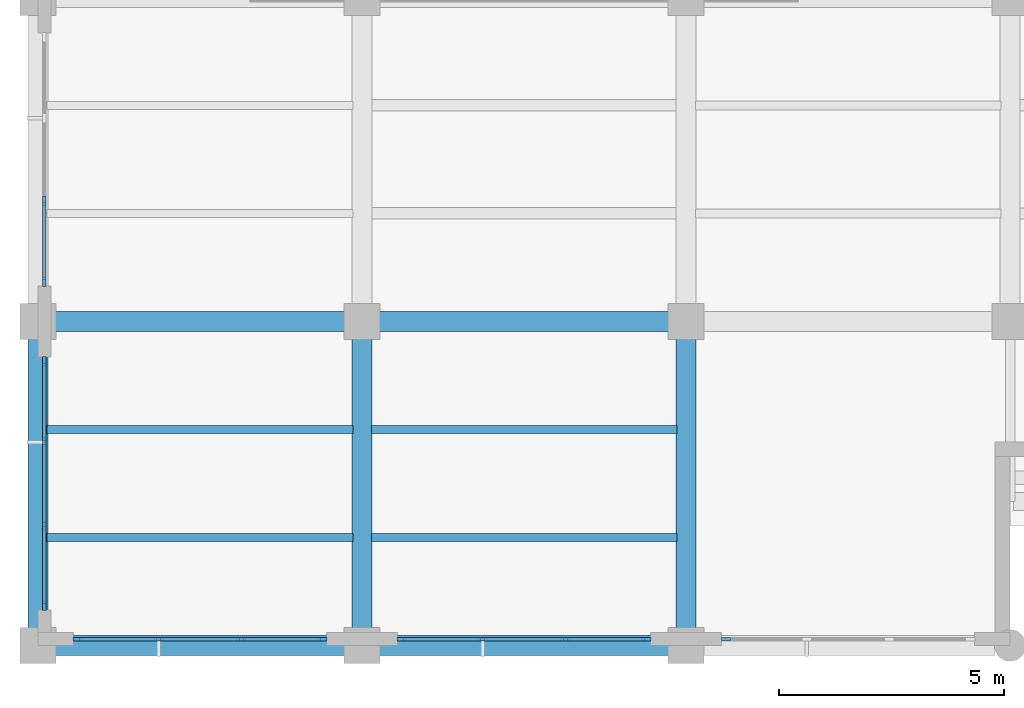
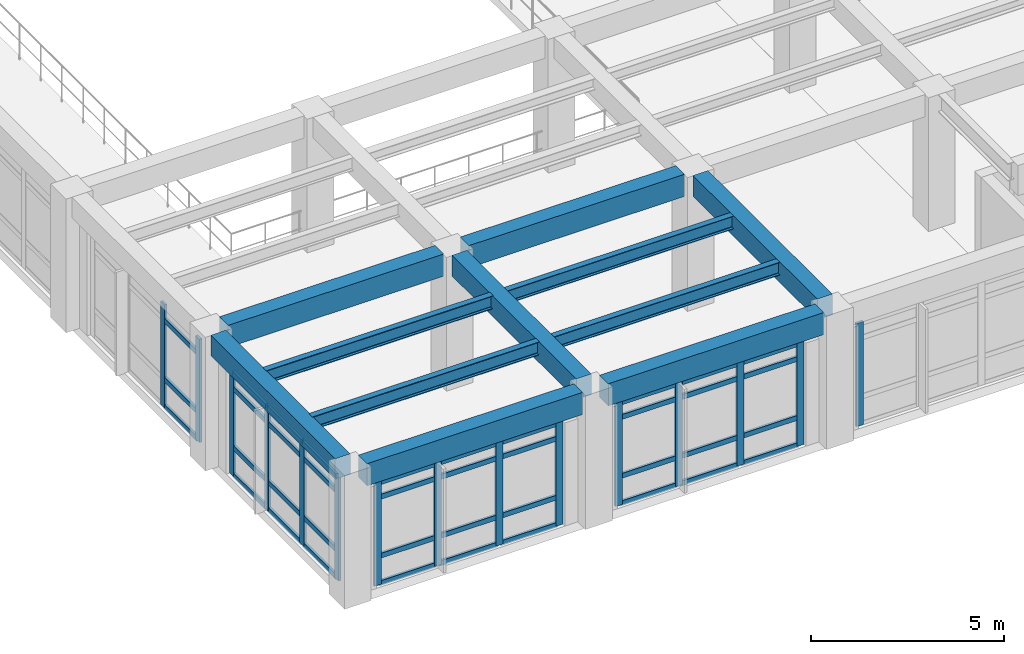
# One storey, part 2 of 67: 54 members, 11 beams, 5 elements without a shape of their own.
"""IFC4 building model written with IfcOpenShell, lengths in metres."""

import ifcopenshell
import ifcopenshell.guid

model = None  # the IFC model being written
_history = None  # IfcOwnerHistory: only IFC2X3 demands one
_inside = {}  # id of a spatial element -> (the spatial element, [elements in it])
_under = {}  # id of a project, library or spatial element -> (it, [spatial elements below it])
_declared = {}  # id of a project -> (the project, [libraries it declares])
_typed = {}  # id of a type object -> (the type object, [elements of that type])
_made_of = {}  # id of a material, layer set ... -> (it, [elements and type objects made of it])


def new_model(schema):
    """Start an empty IFC model of exactly this schema.

    Asked for "IFC4X3", IfcOpenShell would pick the latest addendum, in which some entities
    have other attributes; the version numbers below select the first issue.
    IFC2X3 requires an IfcOwnerHistory on every rooted entity: one is made here for all.
    """
    global model, _history
    if schema == "IFC4X3":
        model = ifcopenshell.file(schema_version=(4, 3, 0, 0))
    else:
        model = ifcopenshell.file(schema=schema)
    _inside.clear()
    _under.clear()
    _declared.clear()
    _typed.clear()
    _made_of.clear()
    _history = None
    if model.schema == "IFC2X3":
        org = make("IfcOrganization", Name="unknown")
        user = make(
            "IfcPersonAndOrganization",
            ThePerson=make("IfcPerson", FamilyName="unknown"),
            TheOrganization=org,
        )
        app = make(
            "IfcApplication",
            ApplicationDeveloper=org,
            Version="unknown",
            ApplicationFullName="unknown",
            ApplicationIdentifier="unknown",
        )
        _history = make(
            "IfcOwnerHistory",
            OwningUser=user,
            OwningApplication=app,
            ChangeAction="ADDED",
            CreationDate=0,
        )
    return model


def make(cls, **values):
    """One entity of the class cls with the attributes given. An attribute that is None is left unset."""
    return model.create_entity(
        cls, **{name: value for name, value in values.items() if value is not None}
    )


def rooted(cls, **values):
    """An entity with a GlobalId (a new one), such as an element, a storey or a relation."""
    return make(cls, GlobalId=ifcopenshell.guid.new(), OwnerHistory=_history, **values)


def si_unit(unit_type, name, prefix=None):
    """IfcSIUnit, for example si_unit("LENGTHUNIT", "METRE", prefix="MILLI")."""
    return make("IfcSIUnit", UnitType=unit_type, Prefix=prefix, Name=name)


def assignment(units):
    """IfcUnitAssignment: the units of a project."""
    return None if units is None else make("IfcUnitAssignment", Units=units)


def point(xyz):
    """IfcCartesianPoint."""
    return None if xyz is None else make("IfcCartesianPoint", Coordinates=xyz)


def direction(xyz):
    """IfcDirection."""
    return None if xyz is None else make("IfcDirection", DirectionRatios=xyz)


def frame(location, z_axis=None, x_axis=None):
    """IfcAxis2Placement3D, a coordinate frame: its origin and axes. An axis left out is left unset."""
    return make(
        "IfcAxis2Placement3D",
        Location=point(location),
        Axis=direction(z_axis),
        RefDirection=direction(x_axis),
    )


def frame_2d(location, x_axis=None):
    """IfcAxis2Placement2D, a coordinate frame in the plane: its origin and x axis."""
    return make(
        "IfcAxis2Placement2D", Location=point(location), RefDirection=direction(x_axis)
    )


def origin():
    """The frame at (0, 0, 0) with its axes left unset."""
    return frame((0.0, 0.0, 0.0))


def origin_2d():
    """The frame at (0, 0) in the plane with its x axis left unset."""
    return frame_2d((0.0, 0.0))


def place(relative_to, where):
    """IfcLocalPlacement: puts the frame where relative to a parent placement (None: the world)."""
    return make(
        "IfcLocalPlacement", PlacementRelTo=relative_to, RelativePlacement=where
    )


def context(
    kind, dimensions, precision=None, world=None, true_north=None, identifier=None
):
    """IfcGeometricRepresentationContext, for example the 3D "Model" context."""
    return make(
        "IfcGeometricRepresentationContext",
        ContextIdentifier=identifier,
        ContextType=kind,
        CoordinateSpaceDimension=dimensions,
        Precision=precision,
        WorldCoordinateSystem=world,
        TrueNorth=true_north,
    )


def subcontext(parent, identifier, kind, view, scale=None):
    """IfcGeometricRepresentationSubContext, for example "Body" below "Model"."""
    return make(
        "IfcGeometricRepresentationSubContext",
        ContextIdentifier=identifier,
        ContextType=kind,
        ParentContext=parent,
        TargetScale=scale,
        TargetView=view,
    )


def project(units=None, contexts=None):
    """IfcProject with its units and contexts."""
    return rooted(
        "IfcProject",
        Name="project",
        RepresentationContexts=contexts,
        UnitsInContext=assignment(units),
    )


def spatial(cls, under=None, at=None, **own):
    """A site, building, storey or space (cls), placed at a placement, below another one or the project."""
    s = rooted(cls, ObjectPlacement=at, **own)
    if under is not None:
        _under.setdefault(under.id(), (under, []))[1].append(s)
    return s


def profile(cls, at=None, kind="AREA", **sizes):
    """A parametric profile (cls). Its sizes go by their IFC names, for example OverallWidth=200.0."""
    return make(cls, ProfileType=kind, Position=at, **sizes)


def rectangle(**sizes):
    """IfcRectangleProfileDef."""
    return profile("IfcRectangleProfileDef", **sizes)


def i_section(**sizes):
    """IfcIShapeProfileDef."""
    return profile("IfcIShapeProfileDef", **sizes)


def extrude(swept, where, along, depth):
    """IfcExtrudedAreaSolid: the profile swept, set in the frame where, extruded along a direction by depth."""
    return make(
        "IfcExtrudedAreaSolid",
        SweptArea=swept,
        Position=where,
        ExtrudedDirection=direction(along),
        Depth=depth,
    )


def shape(context_of_items, identifier, shape_type, items):
    """IfcShapeRepresentation: the items that make up one representation, for example the "Body"."""
    return make(
        "IfcShapeRepresentation",
        ContextOfItems=context_of_items,
        RepresentationIdentifier=identifier,
        RepresentationType=shape_type,
        Items=items,
    )


def material(Name=None, Category=None):
    """IfcMaterial."""
    return make("IfcMaterial", Name=Name, Category=Category)


def layer(
    of_material, thickness, ventilated=None, Name=None, Category=None, Priority=None
):
    """IfcMaterialLayer: one layer of a wall or slab, of a material (None: an air gap)."""
    return make(
        "IfcMaterialLayer",
        Material=of_material,
        LayerThickness=thickness,
        IsVentilated=ventilated,
        Name=Name,
        Category=Category,
        Priority=Priority,
    )


def layer_set(layers, Name=None):
    """IfcMaterialLayerSet."""
    return make("IfcMaterialLayerSet", MaterialLayers=layers, LayerSetName=Name)


def material_profile(
    of_material, cross_section, Name=None, Category=None, Priority=None
):
    """IfcMaterialProfile: a cross section and its material."""
    return make(
        "IfcMaterialProfile",
        Name=Name,
        Material=of_material,
        Profile=cross_section,
        Priority=Priority,
        Category=Category,
    )


def profile_set(profiles, Name=None, composite=None):
    """IfcMaterialProfileSet."""
    return make(
        "IfcMaterialProfileSet",
        Name=Name,
        MaterialProfiles=profiles,
        CompositeProfile=composite,
    )


def made_of(thing, what):
    """Note that an element or type object is made of a material, layer set ...; save() writes the relation."""
    if what is not None:
        _made_of.setdefault(what.id(), (what, []))[1].append(thing)
    return thing


def type_object(cls, material=None, **own):
    """A type object (cls), such as IfcWallType, which elements share."""
    return made_of(rooted(cls, **own), material)


def element(
    cls,
    number,
    at=None,
    inside=None,
    cuts=None,
    type_object=None,
    material=None,
    context=None,
    identifier="Body",
    shape_type=None,
    held_by="IfcProductDefinitionShape",
    body=None,
    shapes=None,
    **own,
):
    """One element of the class cls, such as IfcWall. Its Tag is "e" and its number.

    at: its placement. inside: the storey or other place that contains it. cuts: it is an
    opening in that element (IfcRelVoidsElement). A single representation is given by context,
    identifier, shape_type and body (its items); several are given by shapes. held_by: the class
    of the entity that holds the representations. save() writes the other relations.
    """
    e = rooted(cls, Tag="e%d" % number, ObjectPlacement=at, **own)
    if body is not None:
        shapes = [shape(context, identifier, shape_type, body)]
    if shapes is not None:
        e.Representation = make(held_by, Representations=shapes)
    if inside is not None:
        _inside.setdefault(inside.id(), (inside, []))[1].append(e)
    if cuts is not None:
        rooted(
            "IfcRelVoidsElement", RelatingBuildingElement=cuts, RelatedOpeningElement=e
        )
    if type_object is not None:
        _typed.setdefault(type_object.id(), (type_object, []))[1].append(e)
    return made_of(e, material)


def aggregate(whole, parts):
    """IfcRelAggregates: a whole, such as a stair, and the parts it consists of."""
    return rooted("IfcRelAggregates", RelatingObject=whole, RelatedObjects=parts)


def save(model, path):
    """Write the relations noted so far, then the file.

    IfcRelAggregates (storeys below a building ...), IfcRelContainedInSpatialStructure (elements
    in a storey), IfcRelDefinesByType, IfcRelAssociatesMaterial and IfcRelDeclares: one each for
    every whole, place, type object, material and project.
    """
    for whole, parts in _under.values():
        aggregate(whole, parts)
    for where, things in _inside.values():
        rooted(
            "IfcRelContainedInSpatialStructure",
            RelatedElements=things,
            RelatingStructure=where,
        )
    for kind, things in _typed.values():
        rooted("IfcRelDefinesByType", RelatedObjects=things, RelatingType=kind)
    for what, things in _made_of.values():
        rooted("IfcRelAssociatesMaterial", RelatedObjects=things, RelatingMaterial=what)
    for by, libraries in _declared.values():
        rooted("IfcRelDeclares", RelatingContext=by, RelatedDefinitions=libraries)
    model.write(path)


model = new_model("IFC4")

# Units and contexts
model_context = context("Model", 3, precision=1e-05, world=origin(), true_north=direction((0.0, 1.0)))
body_context = subcontext(model_context, "Body", "Model", "MODEL_VIEW")
ifc_project = project(units=[si_unit("LENGTHUNIT", "METRE"), si_unit("AREAUNIT", "SQUARE_METRE"), si_unit("VOLUMEUNIT", "CUBIC_METRE"), si_unit("PLANEANGLEUNIT", "RADIAN"), si_unit("MASSUNIT", "GRAM", prefix="KILO")], contexts=[model_context])

# Site, building, storey
site_placement = place(None, origin())
site = spatial("IfcSite", under=ifc_project, at=site_placement, CompositionType="ELEMENT")
building_placement = place(site_placement, origin())
building = spatial("IfcBuilding", under=site, at=building_placement, Name="Solenvale Faculty of Natural Sciences", CompositionType="ELEMENT")
storey_placement = place(building_placement, frame((0.0, 0.0, 13.5)))
storey = spatial("IfcBuildingStorey", under=building, at=storey_placement, Name="L03", CompositionType="ELEMENT", Elevation=13.5)

# Beams
ifc_material_1 = material(Name="Concrete 40 MPa", Category="concrete")
ifc_material_profile_1 = material_profile(ifc_material_1, rectangle(XDim=0.449951171875, YDim=0.64990234375, at=origin_2d()), Name="RC-BM-450x650")
ifc_profile_set_1 = profile_set([ifc_material_profile_1], Name="Concrete 40 MPa")
beam_type_1 = type_object("IfcBeamType", Name="BM-RC-450x650", PredefinedType="BEAM", material=ifc_profile_set_1)
for number, where, z_axis, x_axis, name in (
    (1, (36.0, 14.780029296875, 3.89501953125), (0.0, 1.0, 0.0), (-1.0, 0.0, 0.0), "L03 Y-Girder X36.0 (14.4..21.6)"),
    (2, (43.199951171875, 14.780029296875, 3.89501953125), (0.0, 1.0, 0.0), (-1.0, 0.0, 0.0), "L03 Y-Girder X43.2 (14.4..21.6)"),
    (3, (50.39990234375, 14.780029296875, 3.89501953125), (0.0, 1.0, 0.0), (-1.0, 0.0, 0.0), "L03 Y-Girder X50.4 (14.4..21.6)"),
):
    element("IfcBeam", number, at=place(storey_placement, frame(where, z_axis=z_axis, x_axis=x_axis)), inside=storey, type_object=beam_type_1, Name=name, PredefinedType="BEAM", context=body_context, shape_type="SweptSolid", body=[
        extrude(rectangle(XDim=0.449951171875, YDim=0.64990234375, at=origin_2d()), origin(), (0.0, 0.0, 1.0), 6.43994140625),
    ])
ifc_material_profile_2 = material_profile(ifc_material_1, rectangle(XDim=0.449951171875, YDim=0.699951171875, at=origin_2d()), Name="RC-BM-450x700")
ifc_profile_set_2 = profile_set([ifc_material_profile_2], Name="Concrete 40 MPa")
beam_type_2 = type_object("IfcBeamType", Name="BM-RC-450x700", PredefinedType="BEAM", material=ifc_profile_set_2)
beam_1_placement = place(storey_placement, frame((36.3798828125, 14.39990234375, 3.8701171875), z_axis=(1.0, 0.0, 0.0), x_axis=(0.0, 1.0, 0.0)))
element("IfcBeam", 4, at=beam_1_placement, inside=storey, type_object=beam_type_2, Name="L03 X-Girder Y14.4 (36.0..43.2)", PredefinedType="BEAM", context=body_context, shape_type="SweptSolid", body=[
    extrude(rectangle(XDim=0.449951171875, YDim=0.699951171875, at=origin_2d()), origin(), (0.0, 0.0, 1.0), 6.440185546875),
])
beam_2_placement = place(storey_placement, frame((43.580078125, 14.39990234375, 3.8701171875), z_axis=(1.0, 0.0, 0.0), x_axis=(0.0, 1.0, 0.0)))
element("IfcBeam", 5, at=beam_2_placement, inside=storey, type_object=beam_type_2, Name="L03 X-Girder Y14.4 (43.2..50.4)", PredefinedType="BEAM", context=body_context, shape_type="SweptSolid", body=[
    extrude(rectangle(XDim=0.449951171875, YDim=0.699951171875, at=origin_2d()), origin(), (0.0, 0.0, 1.0), 6.43994140625),
])
beam_3_placement = place(storey_placement, frame((36.3798828125, 21.60009765625, 3.8701171875), z_axis=(1.0, 0.0, 0.0), x_axis=(0.0, 1.0, 0.0)))
element("IfcBeam", 6, at=beam_3_placement, inside=storey, type_object=beam_type_2, Name="L03 X-Girder Y21.6 (36.0..43.2)", PredefinedType="BEAM", context=body_context, shape_type="SweptSolid", body=[
    extrude(rectangle(XDim=0.449951171875, YDim=0.699951171875, at=origin_2d()), origin(), (0.0, 0.0, 1.0), 6.440185546875),
])
beam_4_placement = place(storey_placement, frame((43.580078125, 21.60009765625, 3.8701171875), z_axis=(1.0, 0.0, 0.0), x_axis=(0.0, 1.0, 0.0)))
element("IfcBeam", 7, at=beam_4_placement, inside=storey, type_object=beam_type_2, Name="L03 X-Girder Y21.6 (43.2..50.4)", PredefinedType="BEAM", context=body_context, shape_type="SweptSolid", body=[
    extrude(rectangle(XDim=0.449951171875, YDim=0.699951171875, at=origin_2d()), origin(), (0.0, 0.0, 1.0), 6.43994140625),
])
ifc_material_2 = material(Name="Steel S355", Category="steel")
ifc_material_profile_3 = material_profile(ifc_material_2, i_section(OverallWidth=0.178955078125, OverallDepth=0.409912109375, WebThickness=0.0087890625, FlangeThickness=0.014404296875, FilletRadius=0.01611328125, at=origin_2d()), Name="W410x67")
ifc_profile_set_3 = profile_set([ifc_material_profile_3], Name="Steel S355")
beam_type_3 = type_object("IfcBeamType", Name="BM-STL-W410x67", PredefinedType="JOIST", material=ifc_profile_set_3)
for number, where, z_axis, x_axis, name in (
    (8, (43.405029296875, 16.800048828125, 4.014892578125), (1.0, 0.0, 0.0), (0.0, 1.0, 0.0), "L03 Composite Floor Joist (7,3).1"),
    (9, (43.405029296875, 19.199951171875, 4.014892578125), (1.0, 0.0, 0.0), (0.0, 1.0, 0.0), "L03 Composite Floor Joist (7,3).2"),
):
    element("IfcBeam", number, at=place(storey_placement, frame(where, z_axis=z_axis, x_axis=x_axis)), inside=storey, type_object=beam_type_3, Name=name, PredefinedType="JOIST", context=body_context, shape_type="SweptSolid", body=[
        extrude(i_section(OverallWidth=0.178955078125, OverallDepth=0.409912109375, WebThickness=0.0087890625, FlangeThickness=0.014404296875, FilletRadius=0.01611328125, at=origin_2d()), origin(), (0.0, 0.0, 1.0), 6.7900390625),
    ])
ifc_material_profile_4 = material_profile(ifc_material_2, i_section(OverallWidth=0.180908203125, OverallDepth=0.4169921875, WebThickness=0.010986328125, FlangeThickness=0.018310546875, FilletRadius=0.01611328125, at=origin_2d()), Name="W410x85")
ifc_profile_set_4 = profile_set([ifc_material_profile_4], Name="Steel S355")
beam_type_4 = type_object("IfcBeamType", Name="BM-STL-W410x85", PredefinedType="JOIST", material=ifc_profile_set_4)
for number, where, z_axis, x_axis, name in (
    (10, (36.205078125, 16.800048828125, 4.011474609375), (1.0, 0.0, 0.0), (0.0, 1.0, 0.0), "L03 Composite Floor Joist (6,3).1"),
    (11, (36.205078125, 19.199951171875, 4.011474609375), (1.0, 0.0, 0.0), (0.0, 1.0, 0.0), "L03 Composite Floor Joist (6,3).2"),
):
    element("IfcBeam", number, at=place(storey_placement, frame(where, z_axis=z_axis, x_axis=x_axis)), inside=storey, type_object=beam_type_4, Name=name, PredefinedType="JOIST", context=body_context, shape_type="SweptSolid", body=[
        extrude(i_section(OverallWidth=0.180908203125, OverallDepth=0.4169921875, WebThickness=0.010986328125, FlangeThickness=0.018310546875, FilletRadius=0.01611328125, at=origin_2d()), origin(), (0.0, 0.0, 1.0), 6.7900390625),
    ])

# Curtain wall, members
ifc_material_3 = material(Name="Anodised bronze aluminium", Category="aluminium")
ifc_layer = layer(ifc_material_3, 0.215087890625)
ifc_layer_set = layer_set([ifc_layer], Name="Anodised bronze aluminium")
curtain_wall_type = type_object("IfcCurtainWallType", Name="CW-ATR-UNIT", PredefinedType="USERDEFINED", material=ifc_layer_set)
curtain_wall_1_placement = place(storey_placement, origin())
curtain_wall_1 = element("IfcCurtainWall", 12, at=curtain_wall_1_placement, inside=storey, type_object=curtain_wall_type, Name="L03 Curtain Wall CW-L03-P1-E3-B10", ObjectType="UNITISED CURTAIN WALL", PredefinedType="USERDEFINED")
ifc_material_profile_5 = material_profile(ifc_material_3, rectangle(XDim=0.074951171875, YDim=0.2099609375, at=origin_2d()), Name="ALU-MUL-75x210")
ifc_profile_set_5 = profile_set([ifc_material_profile_5], Name="Anodised bronze aluminium")
member_type_1 = type_object("IfcMemberType", Name="CWM-ALU-75x210", PredefinedType="MULLION", material=ifc_profile_set_5)
member_1_placement = place(storey_placement, frame((36.142578125, 24.283447265625, 0.0), z_axis=(0.0, 0.0, 1.0), x_axis=(1.0, 0.0, 0.0)))
member_1 = element("IfcMember", 13, at=member_1_placement, type_object=member_type_1, Name="CW-01 mullion 3", PredefinedType="MULLION", context=body_context, shape_type="SweptSolid", body=[
    extrude(rectangle(XDim=0.074951171875, YDim=0.2099609375, at=origin_2d()), origin(), (0.0, 0.0, 1.0), 3.260009765625),
])
member_2_placement = place(storey_placement, frame((36.142578125, 22.487548828125, 0.0), z_axis=(0.0, 0.0, 1.0), x_axis=(1.0, 0.0, 0.0)))
member_2 = element("IfcMember", 14, at=member_2_placement, type_object=member_type_1, Name="CW-01 mullion 4", PredefinedType="MULLION", context=body_context, shape_type="SweptSolid", body=[
    extrude(rectangle(XDim=0.074951171875, YDim=0.2099609375, at=origin_2d()), origin(), (0.0, 0.0, 1.0), 3.260009765625),
])

curtain_wall_2_placement = place(storey_placement, origin())
curtain_wall_2 = element("IfcCurtainWall", 15, at=curtain_wall_2_placement, inside=storey, type_object=curtain_wall_type, Name="L03 Curtain Wall CW-L03-P1-E3-B11", ObjectType="UNITISED CURTAIN WALL", PredefinedType="USERDEFINED")
member_3_placement = place(storey_placement, frame((36.142578125, 20.71240234375, 0.0), z_axis=(0.0, 0.0, 1.0), x_axis=(1.0, 0.0, 0.0)))
member_3 = element("IfcMember", 16, at=member_3_placement, type_object=member_type_1, Name="CW-01 mullion 1", PredefinedType="MULLION", context=body_context, shape_type="SweptSolid", body=[
    extrude(rectangle(XDim=0.074951171875, YDim=0.2099609375, at=origin_2d()), origin(), (0.0, 0.0, 1.0), 3.260009765625),
])
member_4_placement = place(storey_placement, frame((36.142578125, 18.916748046875, 0.0), z_axis=(0.0, 0.0, 1.0), x_axis=(1.0, 0.0, 0.0)))
member_4 = element("IfcMember", 17, at=member_4_placement, type_object=member_type_1, Name="CW-01 mullion 2", PredefinedType="MULLION", context=body_context, shape_type="SweptSolid", body=[
    extrude(rectangle(XDim=0.074951171875, YDim=0.2099609375, at=origin_2d()), origin(), (0.0, 0.0, 1.0), 3.260009765625),
])
member_5_placement = place(storey_placement, frame((36.142578125, 17.083251953125, 0.0), z_axis=(0.0, 0.0, 1.0), x_axis=(1.0, 0.0, 0.0)))
member_5 = element("IfcMember", 18, at=member_5_placement, type_object=member_type_1, Name="CW-01 mullion 3", PredefinedType="MULLION", context=body_context, shape_type="SweptSolid", body=[
    extrude(rectangle(XDim=0.074951171875, YDim=0.2099609375, at=origin_2d()), origin(), (0.0, 0.0, 1.0), 3.260009765625),
])
member_6_placement = place(storey_placement, frame((36.142578125, 15.28759765625, 0.0), z_axis=(0.0, 0.0, 1.0), x_axis=(1.0, 0.0, 0.0)))
member_6 = element("IfcMember", 19, at=member_6_placement, type_object=member_type_1, Name="CW-01 mullion 4", PredefinedType="MULLION", context=body_context, shape_type="SweptSolid", body=[
    extrude(rectangle(XDim=0.074951171875, YDim=0.2099609375, at=origin_2d()), origin(), (0.0, 0.0, 1.0), 3.260009765625),
])

curtain_wall_3_placement = place(storey_placement, origin())
curtain_wall_3 = element("IfcCurtainWall", 20, at=curtain_wall_3_placement, inside=storey, type_object=curtain_wall_type, Name="L03 Curtain Wall CW-L03-P1-E4-B1", ObjectType="UNITISED CURTAIN WALL", PredefinedType="USERDEFINED")
member_7_placement = place(storey_placement, frame((36.887451171875, 14.54248046875, 0.0), z_axis=(0.0, 0.0, 1.0), x_axis=(0.0, 1.0, 0.0)))
member_7 = element("IfcMember", 21, at=member_7_placement, type_object=member_type_1, Name="CW-01 mullion 1", PredefinedType="MULLION", context=body_context, shape_type="SweptSolid", body=[
    extrude(rectangle(XDim=0.074951171875, YDim=0.2099609375, at=origin_2d()), origin(), (0.0, 0.0, 1.0), 3.260009765625),
])
member_8_placement = place(storey_placement, frame((38.683349609375, 14.54248046875, 0.0), z_axis=(0.0, 0.0, 1.0), x_axis=(0.0, 1.0, 0.0)))
member_8 = element("IfcMember", 22, at=member_8_placement, type_object=member_type_1, Name="CW-01 mullion 2", PredefinedType="MULLION", context=body_context, shape_type="SweptSolid", body=[
    extrude(rectangle(XDim=0.074951171875, YDim=0.2099609375, at=origin_2d()), origin(), (0.0, 0.0, 1.0), 3.260009765625),
])
member_9_placement = place(storey_placement, frame((40.5166015625, 14.54248046875, 0.0), z_axis=(0.0, 0.0, 1.0), x_axis=(0.0, 1.0, 0.0)))
member_9 = element("IfcMember", 23, at=member_9_placement, type_object=member_type_1, Name="CW-01 mullion 3", PredefinedType="MULLION", context=body_context, shape_type="SweptSolid", body=[
    extrude(rectangle(XDim=0.074951171875, YDim=0.2099609375, at=origin_2d()), origin(), (0.0, 0.0, 1.0), 3.260009765625),
])
member_10_placement = place(storey_placement, frame((42.3125, 14.54248046875, 0.0), z_axis=(0.0, 0.0, 1.0), x_axis=(0.0, 1.0, 0.0)))
member_10 = element("IfcMember", 24, at=member_10_placement, type_object=member_type_1, Name="CW-01 mullion 4", PredefinedType="MULLION", context=body_context, shape_type="SweptSolid", body=[
    extrude(rectangle(XDim=0.074951171875, YDim=0.2099609375, at=origin_2d()), origin(), (0.0, 0.0, 1.0), 3.260009765625),
])

curtain_wall_4_placement = place(storey_placement, origin())
curtain_wall_4 = element("IfcCurtainWall", 25, at=curtain_wall_4_placement, inside=storey, type_object=curtain_wall_type, Name="L03 Curtain Wall CW-L03-P1-E4-B2", ObjectType="UNITISED CURTAIN WALL", PredefinedType="USERDEFINED")
member_11_placement = place(storey_placement, frame((44.08740234375, 14.54248046875, 0.0), z_axis=(0.0, 0.0, 1.0), x_axis=(0.0, 1.0, 0.0)))
member_11 = element("IfcMember", 26, at=member_11_placement, type_object=member_type_1, Name="CW-01 mullion 1", PredefinedType="MULLION", context=body_context, shape_type="SweptSolid", body=[
    extrude(rectangle(XDim=0.074951171875, YDim=0.2099609375, at=origin_2d()), origin(), (0.0, 0.0, 1.0), 3.260009765625),
])
member_12_placement = place(storey_placement, frame((45.88330078125, 14.54248046875, 0.0), z_axis=(0.0, 0.0, 1.0), x_axis=(0.0, 1.0, 0.0)))
member_12 = element("IfcMember", 27, at=member_12_placement, type_object=member_type_1, Name="CW-01 mullion 2", PredefinedType="MULLION", context=body_context, shape_type="SweptSolid", body=[
    extrude(rectangle(XDim=0.074951171875, YDim=0.2099609375, at=origin_2d()), origin(), (0.0, 0.0, 1.0), 3.260009765625),
])
member_13_placement = place(storey_placement, frame((47.716552734375, 14.54248046875, 0.0), z_axis=(0.0, 0.0, 1.0), x_axis=(0.0, 1.0, 0.0)))
member_13 = element("IfcMember", 28, at=member_13_placement, type_object=member_type_1, Name="CW-01 mullion 3", PredefinedType="MULLION", context=body_context, shape_type="SweptSolid", body=[
    extrude(rectangle(XDim=0.074951171875, YDim=0.2099609375, at=origin_2d()), origin(), (0.0, 0.0, 1.0), 3.260009765625),
])
member_14_placement = place(storey_placement, frame((49.512451171875, 14.54248046875, 0.0), z_axis=(0.0, 0.0, 1.0), x_axis=(0.0, 1.0, 0.0)))
member_14 = element("IfcMember", 29, at=member_14_placement, type_object=member_type_1, Name="CW-01 mullion 4", PredefinedType="MULLION", context=body_context, shape_type="SweptSolid", body=[
    extrude(rectangle(XDim=0.074951171875, YDim=0.2099609375, at=origin_2d()), origin(), (0.0, 0.0, 1.0), 3.260009765625),
])

# Curtain wall, member
curtain_wall_5_placement = place(storey_placement, origin())
curtain_wall_5 = element("IfcCurtainWall", 30, at=curtain_wall_5_placement, inside=storey, type_object=curtain_wall_type, Name="L03 Curtain Wall CW-L03-P1-E4-B3", ObjectType="UNITISED CURTAIN WALL", PredefinedType="USERDEFINED")
member_15_placement = place(storey_placement, frame((51.28759765625, 14.54248046875, 0.0), z_axis=(0.0, 0.0, 1.0), x_axis=(0.0, 1.0, 0.0)))
member_15 = element("IfcMember", 31, at=member_15_placement, type_object=member_type_1, Name="CW-01 mullion 1", PredefinedType="MULLION", context=body_context, shape_type="SweptSolid", body=[
    extrude(rectangle(XDim=0.074951171875, YDim=0.2099609375, at=origin_2d()), origin(), (0.0, 0.0, 1.0), 3.260009765625),
])
aggregate(curtain_wall_5, [member_15])

# Member
ifc_material_profile_6 = material_profile(ifc_material_3, rectangle(XDim=0.074951171875, YDim=0.155029296875, at=origin_2d()), Name="ALU-TRN-75x155")
ifc_profile_set_6 = profile_set([ifc_material_profile_6], Name="Anodised bronze aluminium")
member_type_2 = type_object("IfcMemberType", Name="CWT-ALU-75x155", PredefinedType="USERDEFINED", material=ifc_profile_set_6)
member_16_placement = place(storey_placement, frame((36.142578125, 24.245849609375, 0.03759765625), z_axis=(0.0, -1.0, 0.0), x_axis=(1.0, 0.0, 0.0)))
member_16 = element("IfcMember", 32, at=member_16_placement, type_object=member_type_2, Name="CW-01 transom 3.1", ObjectType="TRANSOM", PredefinedType="USERDEFINED", context=body_context, shape_type="SweptSolid", body=[
    extrude(rectangle(XDim=0.074951171875, YDim=0.155029296875, at=origin_2d()), origin(), (0.0, 0.0, 1.0), 1.720947265625),
])

member_17_placement = place(storey_placement, frame((36.142578125, 24.245849609375, 0.89990234375), z_axis=(0.0, -1.0, 0.0), x_axis=(1.0, 0.0, 0.0)))
member_17 = element("IfcMember", 33, at=member_17_placement, type_object=member_type_2, Name="CW-01 transom 3.2", ObjectType="TRANSOM", PredefinedType="USERDEFINED", context=body_context, shape_type="SweptSolid", body=[
    extrude(rectangle(XDim=0.074951171875, YDim=0.155029296875, at=origin_2d()), origin(), (0.0, 0.0, 1.0), 1.720947265625),
])

member_18_placement = place(storey_placement, frame((36.142578125, 24.245849609375, 2.760009765625), z_axis=(0.0, -1.0, 0.0), x_axis=(1.0, 0.0, 0.0)))
member_18 = element("IfcMember", 34, at=member_18_placement, type_object=member_type_2, Name="CW-01 transom 3.3", ObjectType="TRANSOM", PredefinedType="USERDEFINED", context=body_context, shape_type="SweptSolid", body=[
    extrude(rectangle(XDim=0.074951171875, YDim=0.155029296875, at=origin_2d()), origin(), (0.0, 0.0, 1.0), 1.720947265625),
])

aggregate(curtain_wall_1, [member_1, member_2, member_16, member_17, member_18])

member_19_placement = place(storey_placement, frame((36.142578125, 20.675048828125, 0.03759765625), z_axis=(0.0, -1.0, 0.0), x_axis=(1.0, 0.0, 0.0)))
member_19 = element("IfcMember", 35, at=member_19_placement, type_object=member_type_2, Name="CW-01 transom 1.1", ObjectType="TRANSOM", PredefinedType="USERDEFINED", context=body_context, shape_type="SweptSolid", body=[
    extrude(rectangle(XDim=0.074951171875, YDim=0.155029296875, at=origin_2d()), origin(), (0.0, 0.0, 1.0), 1.720947265625),
])

member_20_placement = place(storey_placement, frame((36.142578125, 20.675048828125, 0.89990234375), z_axis=(0.0, -1.0, 0.0), x_axis=(1.0, 0.0, 0.0)))
member_20 = element("IfcMember", 36, at=member_20_placement, type_object=member_type_2, Name="CW-01 transom 1.2", ObjectType="TRANSOM", PredefinedType="USERDEFINED", context=body_context, shape_type="SweptSolid", body=[
    extrude(rectangle(XDim=0.074951171875, YDim=0.155029296875, at=origin_2d()), origin(), (0.0, 0.0, 1.0), 1.720947265625),
])

member_21_placement = place(storey_placement, frame((36.142578125, 20.675048828125, 2.760009765625), z_axis=(0.0, -1.0, 0.0), x_axis=(1.0, 0.0, 0.0)))
member_21 = element("IfcMember", 37, at=member_21_placement, type_object=member_type_2, Name="CW-01 transom 1.3", ObjectType="TRANSOM", PredefinedType="USERDEFINED", context=body_context, shape_type="SweptSolid", body=[
    extrude(rectangle(XDim=0.074951171875, YDim=0.155029296875, at=origin_2d()), origin(), (0.0, 0.0, 1.0), 1.720947265625),
])

member_22_placement = place(storey_placement, frame((36.142578125, 20.675048828125, 3.222412109375), z_axis=(0.0, -1.0, 0.0), x_axis=(1.0, 0.0, 0.0)))
member_22 = element("IfcMember", 38, at=member_22_placement, type_object=member_type_2, Name="CW-01 transom 1.4", ObjectType="TRANSOM", PredefinedType="USERDEFINED", context=body_context, shape_type="SweptSolid", body=[
    extrude(rectangle(XDim=0.074951171875, YDim=0.155029296875, at=origin_2d()), origin(), (0.0, 0.0, 1.0), 1.720947265625),
])

member_23_placement = place(storey_placement, frame((36.142578125, 18.879150390625, 0.03759765625), z_axis=(0.0, -1.0, 0.0), x_axis=(1.0, 0.0, 0.0)))
member_23 = element("IfcMember", 39, at=member_23_placement, type_object=member_type_2, Name="CW-01 transom 2.1", ObjectType="TRANSOM", PredefinedType="USERDEFINED", context=body_context, shape_type="SweptSolid", body=[
    extrude(rectangle(XDim=0.074951171875, YDim=0.155029296875, at=origin_2d()), origin(), (0.0, 0.0, 1.0), 1.75830078125),
])

member_24_placement = place(storey_placement, frame((36.142578125, 18.879150390625, 0.89990234375), z_axis=(0.0, -1.0, 0.0), x_axis=(1.0, 0.0, 0.0)))
member_24 = element("IfcMember", 40, at=member_24_placement, type_object=member_type_2, Name="CW-01 transom 2.2", ObjectType="TRANSOM", PredefinedType="USERDEFINED", context=body_context, shape_type="SweptSolid", body=[
    extrude(rectangle(XDim=0.074951171875, YDim=0.155029296875, at=origin_2d()), origin(), (0.0, 0.0, 1.0), 1.75830078125),
])

member_25_placement = place(storey_placement, frame((36.142578125, 18.879150390625, 2.760009765625), z_axis=(0.0, -1.0, 0.0), x_axis=(1.0, 0.0, 0.0)))
member_25 = element("IfcMember", 41, at=member_25_placement, type_object=member_type_2, Name="CW-01 transom 2.3", ObjectType="TRANSOM", PredefinedType="USERDEFINED", context=body_context, shape_type="SweptSolid", body=[
    extrude(rectangle(XDim=0.074951171875, YDim=0.155029296875, at=origin_2d()), origin(), (0.0, 0.0, 1.0), 1.75830078125),
])

member_26_placement = place(storey_placement, frame((36.142578125, 18.879150390625, 3.222412109375), z_axis=(0.0, -1.0, 0.0), x_axis=(1.0, 0.0, 0.0)))
member_26 = element("IfcMember", 42, at=member_26_placement, type_object=member_type_2, Name="CW-01 transom 2.4", ObjectType="TRANSOM", PredefinedType="USERDEFINED", context=body_context, shape_type="SweptSolid", body=[
    extrude(rectangle(XDim=0.074951171875, YDim=0.155029296875, at=origin_2d()), origin(), (0.0, 0.0, 1.0), 1.75830078125),
])

member_27_placement = place(storey_placement, frame((36.142578125, 17.0458984375, 0.03759765625), z_axis=(0.0, -1.0, 0.0), x_axis=(1.0, 0.0, 0.0)))
member_27 = element("IfcMember", 43, at=member_27_placement, type_object=member_type_2, Name="CW-01 transom 3.1", ObjectType="TRANSOM", PredefinedType="USERDEFINED", context=body_context, shape_type="SweptSolid", body=[
    extrude(rectangle(XDim=0.074951171875, YDim=0.155029296875, at=origin_2d()), origin(), (0.0, 0.0, 1.0), 1.720947265625),
])

member_28_placement = place(storey_placement, frame((36.142578125, 17.0458984375, 0.89990234375), z_axis=(0.0, -1.0, 0.0), x_axis=(1.0, 0.0, 0.0)))
member_28 = element("IfcMember", 44, at=member_28_placement, type_object=member_type_2, Name="CW-01 transom 3.2", ObjectType="TRANSOM", PredefinedType="USERDEFINED", context=body_context, shape_type="SweptSolid", body=[
    extrude(rectangle(XDim=0.074951171875, YDim=0.155029296875, at=origin_2d()), origin(), (0.0, 0.0, 1.0), 1.720947265625),
])

member_29_placement = place(storey_placement, frame((36.142578125, 17.0458984375, 2.760009765625), z_axis=(0.0, -1.0, 0.0), x_axis=(1.0, 0.0, 0.0)))
member_29 = element("IfcMember", 45, at=member_29_placement, type_object=member_type_2, Name="CW-01 transom 3.3", ObjectType="TRANSOM", PredefinedType="USERDEFINED", context=body_context, shape_type="SweptSolid", body=[
    extrude(rectangle(XDim=0.074951171875, YDim=0.155029296875, at=origin_2d()), origin(), (0.0, 0.0, 1.0), 1.720947265625),
])

member_30_placement = place(storey_placement, frame((36.142578125, 17.0458984375, 3.222412109375), z_axis=(0.0, -1.0, 0.0), x_axis=(1.0, 0.0, 0.0)))
member_30 = element("IfcMember", 46, at=member_30_placement, type_object=member_type_2, Name="CW-01 transom 3.4", ObjectType="TRANSOM", PredefinedType="USERDEFINED", context=body_context, shape_type="SweptSolid", body=[
    extrude(rectangle(XDim=0.074951171875, YDim=0.155029296875, at=origin_2d()), origin(), (0.0, 0.0, 1.0), 1.720947265625),
])

aggregate(curtain_wall_2, [member_3, member_4, member_5, member_6, member_19, member_20, member_21, member_22, member_23, member_24, member_25, member_26, member_27, member_28, member_29, member_30])

member_31_placement = place(storey_placement, frame((36.925048828125, 14.54248046875, 0.03759765625), z_axis=(1.0, 0.0, 0.0), x_axis=(0.0, 1.0, 0.0)))
member_31 = element("IfcMember", 47, at=member_31_placement, type_object=member_type_2, Name="CW-01 transom 1.1", ObjectType="TRANSOM", PredefinedType="USERDEFINED", context=body_context, shape_type="SweptSolid", body=[
    extrude(rectangle(XDim=0.074951171875, YDim=0.155029296875, at=origin_2d()), origin(), (0.0, 0.0, 1.0), 1.720703125),
])

member_32_placement = place(storey_placement, frame((36.925048828125, 14.54248046875, 0.89990234375), z_axis=(1.0, 0.0, 0.0), x_axis=(0.0, 1.0, 0.0)))
member_32 = element("IfcMember", 48, at=member_32_placement, type_object=member_type_2, Name="CW-01 transom 1.2", ObjectType="TRANSOM", PredefinedType="USERDEFINED", context=body_context, shape_type="SweptSolid", body=[
    extrude(rectangle(XDim=0.074951171875, YDim=0.155029296875, at=origin_2d()), origin(), (0.0, 0.0, 1.0), 1.720703125),
])

member_33_placement = place(storey_placement, frame((36.925048828125, 14.54248046875, 2.760009765625), z_axis=(1.0, 0.0, 0.0), x_axis=(0.0, 1.0, 0.0)))
member_33 = element("IfcMember", 49, at=member_33_placement, type_object=member_type_2, Name="CW-01 transom 1.3", ObjectType="TRANSOM", PredefinedType="USERDEFINED", context=body_context, shape_type="SweptSolid", body=[
    extrude(rectangle(XDim=0.074951171875, YDim=0.155029296875, at=origin_2d()), origin(), (0.0, 0.0, 1.0), 1.720703125),
])

member_34_placement = place(storey_placement, frame((36.925048828125, 14.54248046875, 3.222412109375), z_axis=(1.0, 0.0, 0.0), x_axis=(0.0, 1.0, 0.0)))
member_34 = element("IfcMember", 50, at=member_34_placement, type_object=member_type_2, Name="CW-01 transom 1.4", ObjectType="TRANSOM", PredefinedType="USERDEFINED", context=body_context, shape_type="SweptSolid", body=[
    extrude(rectangle(XDim=0.074951171875, YDim=0.155029296875, at=origin_2d()), origin(), (0.0, 0.0, 1.0), 1.720703125),
])

member_35_placement = place(storey_placement, frame((38.720947265625, 14.54248046875, 0.03759765625), z_axis=(1.0, 0.0, 0.0), x_axis=(0.0, 1.0, 0.0)))
member_35 = element("IfcMember", 51, at=member_35_placement, type_object=member_type_2, Name="CW-01 transom 2.1", ObjectType="TRANSOM", PredefinedType="USERDEFINED", context=body_context, shape_type="SweptSolid", body=[
    extrude(rectangle(XDim=0.074951171875, YDim=0.155029296875, at=origin_2d()), origin(), (0.0, 0.0, 1.0), 1.75830078125),
])

member_36_placement = place(storey_placement, frame((38.720947265625, 14.54248046875, 0.89990234375), z_axis=(1.0, 0.0, 0.0), x_axis=(0.0, 1.0, 0.0)))
member_36 = element("IfcMember", 52, at=member_36_placement, type_object=member_type_2, Name="CW-01 transom 2.2", ObjectType="TRANSOM", PredefinedType="USERDEFINED", context=body_context, shape_type="SweptSolid", body=[
    extrude(rectangle(XDim=0.074951171875, YDim=0.155029296875, at=origin_2d()), origin(), (0.0, 0.0, 1.0), 1.75830078125),
])

member_37_placement = place(storey_placement, frame((38.720947265625, 14.54248046875, 2.760009765625), z_axis=(1.0, 0.0, 0.0), x_axis=(0.0, 1.0, 0.0)))
member_37 = element("IfcMember", 53, at=member_37_placement, type_object=member_type_2, Name="CW-01 transom 2.3", ObjectType="TRANSOM", PredefinedType="USERDEFINED", context=body_context, shape_type="SweptSolid", body=[
    extrude(rectangle(XDim=0.074951171875, YDim=0.155029296875, at=origin_2d()), origin(), (0.0, 0.0, 1.0), 1.75830078125),
])

member_38_placement = place(storey_placement, frame((38.720947265625, 14.54248046875, 3.222412109375), z_axis=(1.0, 0.0, 0.0), x_axis=(0.0, 1.0, 0.0)))
member_38 = element("IfcMember", 54, at=member_38_placement, type_object=member_type_2, Name="CW-01 transom 2.4", ObjectType="TRANSOM", PredefinedType="USERDEFINED", context=body_context, shape_type="SweptSolid", body=[
    extrude(rectangle(XDim=0.074951171875, YDim=0.155029296875, at=origin_2d()), origin(), (0.0, 0.0, 1.0), 1.75830078125),
])

member_39_placement = place(storey_placement, frame((40.55419921875, 14.54248046875, 0.03759765625), z_axis=(1.0, 0.0, 0.0), x_axis=(0.0, 1.0, 0.0)))
member_39 = element("IfcMember", 55, at=member_39_placement, type_object=member_type_2, Name="CW-01 transom 3.1", ObjectType="TRANSOM", PredefinedType="USERDEFINED", context=body_context, shape_type="SweptSolid", body=[
    extrude(rectangle(XDim=0.074951171875, YDim=0.155029296875, at=origin_2d()), origin(), (0.0, 0.0, 1.0), 1.720703125),
])

member_40_placement = place(storey_placement, frame((40.55419921875, 14.54248046875, 0.89990234375), z_axis=(1.0, 0.0, 0.0), x_axis=(0.0, 1.0, 0.0)))
member_40 = element("IfcMember", 56, at=member_40_placement, type_object=member_type_2, Name="CW-01 transom 3.2", ObjectType="TRANSOM", PredefinedType="USERDEFINED", context=body_context, shape_type="SweptSolid", body=[
    extrude(rectangle(XDim=0.074951171875, YDim=0.155029296875, at=origin_2d()), origin(), (0.0, 0.0, 1.0), 1.720703125),
])

member_41_placement = place(storey_placement, frame((40.55419921875, 14.54248046875, 2.760009765625), z_axis=(1.0, 0.0, 0.0), x_axis=(0.0, 1.0, 0.0)))
member_41 = element("IfcMember", 57, at=member_41_placement, type_object=member_type_2, Name="CW-01 transom 3.3", ObjectType="TRANSOM", PredefinedType="USERDEFINED", context=body_context, shape_type="SweptSolid", body=[
    extrude(rectangle(XDim=0.074951171875, YDim=0.155029296875, at=origin_2d()), origin(), (0.0, 0.0, 1.0), 1.720703125),
])

member_42_placement = place(storey_placement, frame((40.55419921875, 14.54248046875, 3.222412109375), z_axis=(1.0, 0.0, 0.0), x_axis=(0.0, 1.0, 0.0)))
member_42 = element("IfcMember", 58, at=member_42_placement, type_object=member_type_2, Name="CW-01 transom 3.4", ObjectType="TRANSOM", PredefinedType="USERDEFINED", context=body_context, shape_type="SweptSolid", body=[
    extrude(rectangle(XDim=0.074951171875, YDim=0.155029296875, at=origin_2d()), origin(), (0.0, 0.0, 1.0), 1.720703125),
])

aggregate(curtain_wall_3, [member_7, member_8, member_9, member_10, member_31, member_32, member_33, member_34, member_35, member_36, member_37, member_38, member_39, member_40, member_41, member_42])

member_43_placement = place(storey_placement, frame((44.125, 14.54248046875, 0.03759765625), z_axis=(1.0, 0.0, 0.0), x_axis=(0.0, 1.0, 0.0)))
member_43 = element("IfcMember", 59, at=member_43_placement, type_object=member_type_2, Name="CW-01 transom 1.1", ObjectType="TRANSOM", PredefinedType="USERDEFINED", context=body_context, shape_type="SweptSolid", body=[
    extrude(rectangle(XDim=0.074951171875, YDim=0.155029296875, at=origin_2d()), origin(), (0.0, 0.0, 1.0), 1.720947265625),
])

member_44_placement = place(storey_placement, frame((44.125, 14.54248046875, 0.89990234375), z_axis=(1.0, 0.0, 0.0), x_axis=(0.0, 1.0, 0.0)))
member_44 = element("IfcMember", 60, at=member_44_placement, type_object=member_type_2, Name="CW-01 transom 1.2", ObjectType="TRANSOM", PredefinedType="USERDEFINED", context=body_context, shape_type="SweptSolid", body=[
    extrude(rectangle(XDim=0.074951171875, YDim=0.155029296875, at=origin_2d()), origin(), (0.0, 0.0, 1.0), 1.720947265625),
])

member_45_placement = place(storey_placement, frame((44.125, 14.54248046875, 2.760009765625), z_axis=(1.0, 0.0, 0.0), x_axis=(0.0, 1.0, 0.0)))
member_45 = element("IfcMember", 61, at=member_45_placement, type_object=member_type_2, Name="CW-01 transom 1.3", ObjectType="TRANSOM", PredefinedType="USERDEFINED", context=body_context, shape_type="SweptSolid", body=[
    extrude(rectangle(XDim=0.074951171875, YDim=0.155029296875, at=origin_2d()), origin(), (0.0, 0.0, 1.0), 1.720947265625),
])

member_46_placement = place(storey_placement, frame((44.125, 14.54248046875, 3.222412109375), z_axis=(1.0, 0.0, 0.0), x_axis=(0.0, 1.0, 0.0)))
member_46 = element("IfcMember", 62, at=member_46_placement, type_object=member_type_2, Name="CW-01 transom 1.4", ObjectType="TRANSOM", PredefinedType="USERDEFINED", context=body_context, shape_type="SweptSolid", body=[
    extrude(rectangle(XDim=0.074951171875, YDim=0.155029296875, at=origin_2d()), origin(), (0.0, 0.0, 1.0), 1.720947265625),
])

member_47_placement = place(storey_placement, frame((45.9208984375, 14.54248046875, 0.03759765625), z_axis=(1.0, 0.0, 0.0), x_axis=(0.0, 1.0, 0.0)))
member_47 = element("IfcMember", 63, at=member_47_placement, type_object=member_type_2, Name="CW-01 transom 2.1", ObjectType="TRANSOM", PredefinedType="USERDEFINED", context=body_context, shape_type="SweptSolid", body=[
    extrude(rectangle(XDim=0.074951171875, YDim=0.155029296875, at=origin_2d()), origin(), (0.0, 0.0, 1.0), 1.75830078125),
])

member_48_placement = place(storey_placement, frame((45.9208984375, 14.54248046875, 0.89990234375), z_axis=(1.0, 0.0, 0.0), x_axis=(0.0, 1.0, 0.0)))
member_48 = element("IfcMember", 64, at=member_48_placement, type_object=member_type_2, Name="CW-01 transom 2.2", ObjectType="TRANSOM", PredefinedType="USERDEFINED", context=body_context, shape_type="SweptSolid", body=[
    extrude(rectangle(XDim=0.074951171875, YDim=0.155029296875, at=origin_2d()), origin(), (0.0, 0.0, 1.0), 1.75830078125),
])

member_49_placement = place(storey_placement, frame((45.9208984375, 14.54248046875, 2.760009765625), z_axis=(1.0, 0.0, 0.0), x_axis=(0.0, 1.0, 0.0)))
member_49 = element("IfcMember", 65, at=member_49_placement, type_object=member_type_2, Name="CW-01 transom 2.3", ObjectType="TRANSOM", PredefinedType="USERDEFINED", context=body_context, shape_type="SweptSolid", body=[
    extrude(rectangle(XDim=0.074951171875, YDim=0.155029296875, at=origin_2d()), origin(), (0.0, 0.0, 1.0), 1.75830078125),
])

member_50_placement = place(storey_placement, frame((45.9208984375, 14.54248046875, 3.222412109375), z_axis=(1.0, 0.0, 0.0), x_axis=(0.0, 1.0, 0.0)))
member_50 = element("IfcMember", 66, at=member_50_placement, type_object=member_type_2, Name="CW-01 transom 2.4", ObjectType="TRANSOM", PredefinedType="USERDEFINED", context=body_context, shape_type="SweptSolid", body=[
    extrude(rectangle(XDim=0.074951171875, YDim=0.155029296875, at=origin_2d()), origin(), (0.0, 0.0, 1.0), 1.75830078125),
])

member_51_placement = place(storey_placement, frame((47.754150390625, 14.54248046875, 0.03759765625), z_axis=(1.0, 0.0, 0.0), x_axis=(0.0, 1.0, 0.0)))
member_51 = element("IfcMember", 67, at=member_51_placement, type_object=member_type_2, Name="CW-01 transom 3.1", ObjectType="TRANSOM", PredefinedType="USERDEFINED", context=body_context, shape_type="SweptSolid", body=[
    extrude(rectangle(XDim=0.074951171875, YDim=0.155029296875, at=origin_2d()), origin(), (0.0, 0.0, 1.0), 1.720947265625),
])

member_52_placement = place(storey_placement, frame((47.754150390625, 14.54248046875, 0.89990234375), z_axis=(1.0, 0.0, 0.0), x_axis=(0.0, 1.0, 0.0)))
member_52 = element("IfcMember", 68, at=member_52_placement, type_object=member_type_2, Name="CW-01 transom 3.2", ObjectType="TRANSOM", PredefinedType="USERDEFINED", context=body_context, shape_type="SweptSolid", body=[
    extrude(rectangle(XDim=0.074951171875, YDim=0.155029296875, at=origin_2d()), origin(), (0.0, 0.0, 1.0), 1.720947265625),
])

member_53_placement = place(storey_placement, frame((47.754150390625, 14.54248046875, 2.760009765625), z_axis=(1.0, 0.0, 0.0), x_axis=(0.0, 1.0, 0.0)))
member_53 = element("IfcMember", 69, at=member_53_placement, type_object=member_type_2, Name="CW-01 transom 3.3", ObjectType="TRANSOM", PredefinedType="USERDEFINED", context=body_context, shape_type="SweptSolid", body=[
    extrude(rectangle(XDim=0.074951171875, YDim=0.155029296875, at=origin_2d()), origin(), (0.0, 0.0, 1.0), 1.720947265625),
])

member_54_placement = place(storey_placement, frame((47.754150390625, 14.54248046875, 3.222412109375), z_axis=(1.0, 0.0, 0.0), x_axis=(0.0, 1.0, 0.0)))
member_54 = element("IfcMember", 70, at=member_54_placement, type_object=member_type_2, Name="CW-01 transom 3.4", ObjectType="TRANSOM", PredefinedType="USERDEFINED", context=body_context, shape_type="SweptSolid", body=[
    extrude(rectangle(XDim=0.074951171875, YDim=0.155029296875, at=origin_2d()), origin(), (0.0, 0.0, 1.0), 1.720947265625),
])

aggregate(curtain_wall_4, [member_11, member_12, member_13, member_14, member_43, member_44, member_45, member_46, member_47, member_48, member_49, member_50, member_51, member_52, member_53, member_54])

save(model, "model.ifc")
